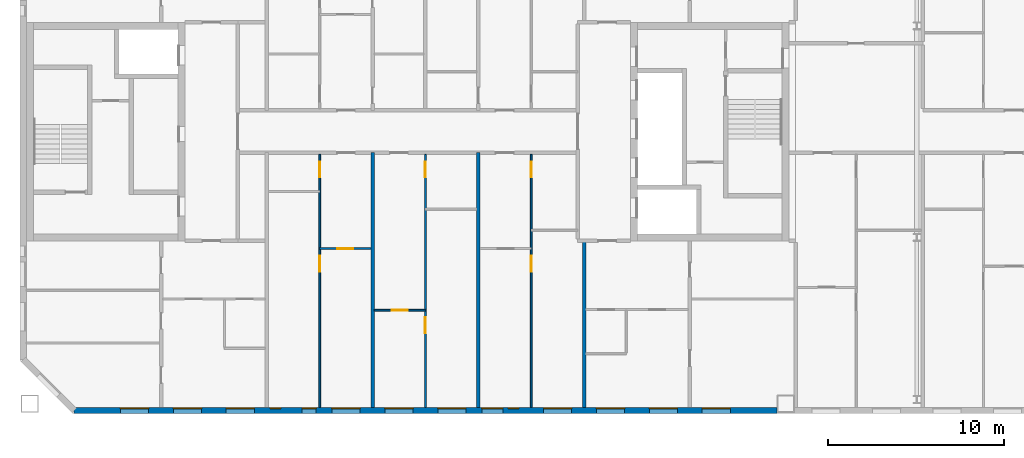
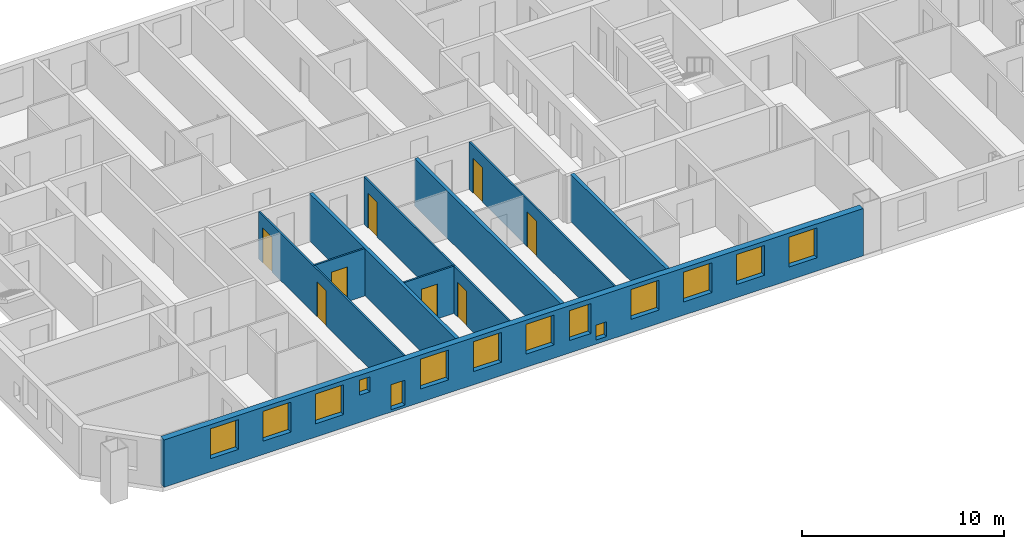
# One storey, part 5 of 19: 14 windows, 9 walls, 8 doors, 22 openings.
"""IFC4 building model written with IfcOpenShell, lengths in metres."""

from ifc_helpers import new_model, si_unit, direction, frame, frame_2d, origin, place, context, subcontext, project, spatial, rectangle, extrude, material, layer, layer_set, type_object, element, fill, save


model = new_model("IFC4")

# Units and contexts
model_context = context("Model", 3, precision=1e-05, world=origin(), true_north=direction((0.0, 1.0)))
body_context = subcontext(model_context, "Body", "Model", "MODEL_VIEW")
ifc_project = project(units=[si_unit("LENGTHUNIT", "METRE"), si_unit("AREAUNIT", "SQUARE_METRE"), si_unit("VOLUMEUNIT", "CUBIC_METRE"), si_unit("PLANEANGLEUNIT", "RADIAN"), si_unit("MASSUNIT", "GRAM", prefix="KILO")], contexts=[model_context])

# Site, building, storey
site_placement = place(None, origin())
site = spatial("IfcSite", under=ifc_project, at=site_placement, CompositionType="ELEMENT")
building_placement = place(site_placement, origin())
building = spatial("IfcBuilding", under=site, at=building_placement, Name="Tuart Gate Housing", CompositionType="ELEMENT")
storey_placement = place(building_placement, frame((0.0, 0.0, 224.5)))
storey = spatial("IfcBuildingStorey", under=building, at=storey_placement, Name="L63", CompositionType="ELEMENT", Elevation=224.5)

# Wall, openings, windows
ifc_material_1 = material(Name="Brick", Category="masonry")
ifc_layer_1 = layer(ifc_material_1, 0.360107421875)
ifc_layer_set_1 = layer_set([ifc_layer_1], Name="Brick pier and spandrel wall 360")
wall_type_1 = type_object("IfcWallType", Name="Brick pier and spandrel wall 360", PredefinedType="STANDARD", material=ifc_layer_set_1)
wall_1_placement = place(storey_placement, frame((35.07470703125, 54.179931640625, 0.0), z_axis=(0.0, 0.0, 1.0), x_axis=(1.0, 0.0, 0.0)))
wall_1 = element("IfcWall", 1, at=wall_1_placement, inside=storey, type_object=wall_type_1, Name="External wall BLK-S L63", PredefinedType="STANDARD", context=body_context, shape_type="SweptSolid", body=[
    extrude(rectangle(XDim=39.875244140625, YDim=0.360107421875, at=frame_2d((19.9375, 0.0))), origin(), (0.0, 0.0, 1.0), 2.85009765625),
])
opening_1_placement = place(wall_1_placement, frame((2.62548828125, 0.0, 0.800048828125)))
opening_1 = element("IfcOpeningElement", 2, at=opening_1_placement, cuts=wall_1, Name="Opening W1", PredefinedType="OPENING", context=body_context, shape_type="SweptSolid", body=[
    extrude(rectangle(XDim=1.60009765625, YDim=1.800048828125, at=frame_2d((0.800048828125, 0.89990234375))), frame((0.0, 0.18994140625, 0.0), z_axis=(0.0, -1.0, 0.0), x_axis=(1.0, 0.0, 0.0)), (0.0, 0.0, 1.0), 0.380126953125),
])
opening_2_placement = place(wall_1_placement, frame((5.62548828125, 0.0, 0.800048828125)))
opening_2 = element("IfcOpeningElement", 3, at=opening_2_placement, cuts=wall_1, Name="Opening W1", PredefinedType="OPENING", context=body_context, shape_type="SweptSolid", body=[
    extrude(rectangle(XDim=1.60009765625, YDim=1.800048828125, at=frame_2d((0.800048828125, 0.89990234375))), frame((0.0, 0.18994140625, 0.0), z_axis=(0.0, -1.0, 0.0), x_axis=(1.0, 0.0, 0.0)), (0.0, 0.0, 1.0), 0.380126953125),
])
opening_3_placement = place(wall_1_placement, frame((8.62548828125, 0.0, 0.800048828125)))
opening_3 = element("IfcOpeningElement", 4, at=opening_3_placement, cuts=wall_1, Name="Opening W1", PredefinedType="OPENING", context=body_context, shape_type="SweptSolid", body=[
    extrude(rectangle(XDim=1.60009765625, YDim=1.800048828125, at=frame_2d((0.800048828125, 0.89990234375))), frame((0.0, 0.18994140625, 0.0), z_axis=(0.0, -1.0, 0.0), x_axis=(1.0, 0.0, 0.0)), (0.0, 0.0, 1.0), 0.380126953125),
])
opening_4_placement = place(wall_1_placement, frame((11.12548828125, 0.0, 1.64990234375)))
opening_4 = element("IfcOpeningElement", 5, at=opening_4_placement, cuts=wall_1, Name="Opening W1W", PredefinedType="OPENING", context=body_context, shape_type="SweptSolid", body=[
    extrude(rectangle(XDim=0.60009765625, YDim=0.89990234375, at=frame_2d((0.300048828125, 0.449951171875))), frame((0.0, 0.18994140625, 0.0), z_axis=(0.0, -1.0, 0.0), x_axis=(1.0, 0.0, 0.0)), (0.0, 0.0, 1.0), 0.380126953125),
])
opening_5_placement = place(wall_1_placement, frame((14.62548828125, 0.0, 0.800048828125)))
opening_5 = element("IfcOpeningElement", 6, at=opening_5_placement, cuts=wall_1, Name="Opening W1", PredefinedType="OPENING", context=body_context, shape_type="SweptSolid", body=[
    extrude(rectangle(XDim=1.60009765625, YDim=1.800048828125, at=frame_2d((0.800048828125, 0.89990234375))), frame((0.0, 0.18994140625, 0.0), z_axis=(0.0, -1.0, 0.0), x_axis=(1.0, 0.0, 0.0)), (0.0, 0.0, 1.0), 0.380126953125),
])
opening_6_placement = place(wall_1_placement, frame((17.62548828125, 0.0, 0.800048828125)))
opening_6 = element("IfcOpeningElement", 7, at=opening_6_placement, cuts=wall_1, Name="Opening W1", PredefinedType="OPENING", context=body_context, shape_type="SweptSolid", body=[
    extrude(rectangle(XDim=1.60009765625, YDim=1.800048828125, at=frame_2d((0.800048828125, 0.89990234375))), frame((0.0, 0.18994140625, 0.0), z_axis=(0.0, -1.0, 0.0), x_axis=(1.0, 0.0, 0.0)), (0.0, 0.0, 1.0), 0.380126953125),
])
opening_7_placement = place(wall_1_placement, frame((20.62548828125, 0.0, 0.800048828125)))
opening_7 = element("IfcOpeningElement", 8, at=opening_7_placement, cuts=wall_1, Name="Opening W1", PredefinedType="OPENING", context=body_context, shape_type="SweptSolid", body=[
    extrude(rectangle(XDim=1.60009765625, YDim=1.800048828125, at=frame_2d((0.800048828125, 0.89990234375))), frame((0.0, 0.18994140625, 0.0), z_axis=(0.0, -1.0, 0.0), x_axis=(1.0, 0.0, 0.0)), (0.0, 0.0, 1.0), 0.380126953125),
])
opening_8_placement = place(wall_1_placement, frame((23.12548828125, 0.0, 0.75)))
opening_8 = element("IfcOpeningElement", 9, at=opening_8_placement, cuts=wall_1, Name="Opening W1B", PredefinedType="OPENING", context=body_context, shape_type="SweptSolid", body=[
    extrude(rectangle(XDim=1.199951171875, YDim=1.800048828125, at=frame_2d((0.60009765625, 0.89990234375))), frame((0.0, 0.18994140625, 0.0), z_axis=(0.0, -1.0, 0.0), x_axis=(1.0, 0.0, 0.0)), (0.0, 0.0, 1.0), 0.380126953125),
])
opening_9_placement = place(wall_1_placement, frame((26.62548828125, 0.0, 0.800048828125)))
opening_9 = element("IfcOpeningElement", 10, at=opening_9_placement, cuts=wall_1, Name="Opening W1", PredefinedType="OPENING", context=body_context, shape_type="SweptSolid", body=[
    extrude(rectangle(XDim=1.60009765625, YDim=1.800048828125, at=frame_2d((0.800048828125, 0.89990234375))), frame((0.0, 0.18994140625, 0.0), z_axis=(0.0, -1.0, 0.0), x_axis=(1.0, 0.0, 0.0)), (0.0, 0.0, 1.0), 0.380126953125),
])
opening_10_placement = place(wall_1_placement, frame((29.62548828125, 0.0, 0.800048828125)))
opening_10 = element("IfcOpeningElement", 11, at=opening_10_placement, cuts=wall_1, Name="Opening W1", PredefinedType="OPENING", context=body_context, shape_type="SweptSolid", body=[
    extrude(rectangle(XDim=1.60009765625, YDim=1.800048828125, at=frame_2d((0.800048828125, 0.89990234375))), frame((0.0, 0.18994140625, 0.0), z_axis=(0.0, -1.0, 0.0), x_axis=(1.0, 0.0, 0.0)), (0.0, 0.0, 1.0), 0.380126953125),
])
opening_11_placement = place(wall_1_placement, frame((32.62548828125, 0.0, 0.800048828125)))
opening_11 = element("IfcOpeningElement", 12, at=opening_11_placement, cuts=wall_1, Name="Opening W1", PredefinedType="OPENING", context=body_context, shape_type="SweptSolid", body=[
    extrude(rectangle(XDim=1.60009765625, YDim=1.800048828125, at=frame_2d((0.800048828125, 0.89990234375))), frame((0.0, 0.18994140625, 0.0), z_axis=(0.0, -1.0, 0.0), x_axis=(1.0, 0.0, 0.0)), (0.0, 0.0, 1.0), 0.380126953125),
])
opening_12_placement = place(wall_1_placement, frame((35.62548828125, 0.0, 0.800048828125)))
opening_12 = element("IfcOpeningElement", 13, at=opening_12_placement, cuts=wall_1, Name="Opening W1", PredefinedType="OPENING", context=body_context, shape_type="SweptSolid", body=[
    extrude(rectangle(XDim=1.60009765625, YDim=1.800048828125, at=frame_2d((0.800048828125, 0.89990234375))), frame((0.0, 0.18994140625, 0.0), z_axis=(0.0, -1.0, 0.0), x_axis=(1.0, 0.0, 0.0)), (0.0, 0.0, 1.0), 0.380126953125),
])
opening_13_placement = place(wall_1_placement, frame((12.92529296875, 0.0, 0.14990234375)))
opening_13 = element("IfcOpeningElement", 14, at=opening_13_placement, cuts=wall_1, Name="Opening W1J", PredefinedType="OPENING", context=body_context, shape_type="SweptSolid", body=[
    extrude(rectangle(XDim=0.800048828125, YDim=1.5, at=frame_2d((0.39990234375, 0.75))), frame((0.0, 0.18994140625, 0.0), z_axis=(0.0, -1.0, 0.0), x_axis=(1.0, 0.0, 0.0)), (0.0, 0.0, 1.0), 0.380126953125),
])
opening_14_placement = place(wall_1_placement, frame((24.62548828125, 0.0, 0.25)))
opening_14 = element("IfcOpeningElement", 15, at=opening_14_placement, cuts=wall_1, Name="Opening W1W", PredefinedType="OPENING", context=body_context, shape_type="SweptSolid", body=[
    extrude(rectangle(XDim=0.60009765625, YDim=0.89990234375, at=frame_2d((0.300048828125, 0.449951171875))), frame((0.0, 0.18994140625, 0.0), z_axis=(0.0, -1.0, 0.0), x_axis=(1.0, 0.0, 0.0)), (0.0, 0.0, 1.0), 0.380126953125),
])
ifc_material_2 = material(Name="Aluminium frame with clear glass", Category="aluminium")
window_type_1 = type_object("IfcWindowType", Name="Punched window 1200 x 1800", PartitioningType="SINGLE_PANEL", PredefinedType="WINDOW", material=ifc_material_2)
window_1_placement = place(opening_8_placement, origin())
window_1 = element("IfcWindow", 16, at=window_1_placement, inside=storey, type_object=window_type_1, Name="Window W1B", OverallHeight=1.800048828125, OverallWidth=1.199951171875, PartitioningType="SINGLE_PANEL", PredefinedType="WINDOW", context=body_context, shape_type="SweptSolid", body=[
    extrude(rectangle(XDim=1.199951171875, YDim=1.800048828125, at=frame_2d((0.60009765625, 0.89990234375))), frame((0.0, 0.150146484375, 0.0), z_axis=(0.0, -1.0, 0.0), x_axis=(1.0, 0.0, 0.0)), (0.0, 0.0, 1.0), 0.06005859375),
])
fill(opening_8, window_1)
ifc_material_3 = material(Name="Aluminium frame with clear glass", Category="aluminium")
window_type_2 = type_object("IfcWindowType", Name="Punched window 1600 x 1800", PartitioningType="SINGLE_PANEL", PredefinedType="WINDOW", material=ifc_material_3)
window_2_placement = place(opening_1_placement, origin())
window_2 = element("IfcWindow", 17, at=window_2_placement, inside=storey, type_object=window_type_2, Name="Window W1", OverallHeight=1.800048828125, OverallWidth=1.60009765625, PartitioningType="SINGLE_PANEL", PredefinedType="WINDOW", context=body_context, shape_type="SweptSolid", body=[
    extrude(rectangle(XDim=1.60009765625, YDim=1.800048828125, at=frame_2d((0.800048828125, 0.89990234375))), frame((0.0, 0.150146484375, 0.0), z_axis=(0.0, -1.0, 0.0), x_axis=(1.0, 0.0, 0.0)), (0.0, 0.0, 1.0), 0.06005859375),
])
fill(opening_1, window_2)
window_3_placement = place(opening_2_placement, origin())
window_3 = element("IfcWindow", 18, at=window_3_placement, inside=storey, type_object=window_type_2, Name="Window W1", OverallHeight=1.800048828125, OverallWidth=1.60009765625, PartitioningType="SINGLE_PANEL", PredefinedType="WINDOW", context=body_context, shape_type="SweptSolid", body=[
    extrude(rectangle(XDim=1.60009765625, YDim=1.800048828125, at=frame_2d((0.800048828125, 0.89990234375))), frame((0.0, 0.150146484375, 0.0), z_axis=(0.0, -1.0, 0.0), x_axis=(1.0, 0.0, 0.0)), (0.0, 0.0, 1.0), 0.06005859375),
])
fill(opening_2, window_3)
window_4_placement = place(opening_3_placement, origin())
window_4 = element("IfcWindow", 19, at=window_4_placement, inside=storey, type_object=window_type_2, Name="Window W1", OverallHeight=1.800048828125, OverallWidth=1.60009765625, PartitioningType="SINGLE_PANEL", PredefinedType="WINDOW", context=body_context, shape_type="SweptSolid", body=[
    extrude(rectangle(XDim=1.60009765625, YDim=1.800048828125, at=frame_2d((0.800048828125, 0.89990234375))), frame((0.0, 0.150146484375, 0.0), z_axis=(0.0, -1.0, 0.0), x_axis=(1.0, 0.0, 0.0)), (0.0, 0.0, 1.0), 0.06005859375),
])
fill(opening_3, window_4)
window_5_placement = place(opening_5_placement, origin())
window_5 = element("IfcWindow", 20, at=window_5_placement, inside=storey, type_object=window_type_2, Name="Window W1", OverallHeight=1.800048828125, OverallWidth=1.60009765625, PartitioningType="SINGLE_PANEL", PredefinedType="WINDOW", context=body_context, shape_type="SweptSolid", body=[
    extrude(rectangle(XDim=1.60009765625, YDim=1.800048828125, at=frame_2d((0.800048828125, 0.89990234375))), frame((0.0, 0.150146484375, 0.0), z_axis=(0.0, -1.0, 0.0), x_axis=(1.0, 0.0, 0.0)), (0.0, 0.0, 1.0), 0.06005859375),
])
fill(opening_5, window_5)
window_6_placement = place(opening_6_placement, origin())
window_6 = element("IfcWindow", 21, at=window_6_placement, inside=storey, type_object=window_type_2, Name="Window W1", OverallHeight=1.800048828125, OverallWidth=1.60009765625, PartitioningType="SINGLE_PANEL", PredefinedType="WINDOW", context=body_context, shape_type="SweptSolid", body=[
    extrude(rectangle(XDim=1.60009765625, YDim=1.800048828125, at=frame_2d((0.800048828125, 0.89990234375))), frame((0.0, 0.150146484375, 0.0), z_axis=(0.0, -1.0, 0.0), x_axis=(1.0, 0.0, 0.0)), (0.0, 0.0, 1.0), 0.06005859375),
])
fill(opening_6, window_6)
window_7_placement = place(opening_7_placement, origin())
window_7 = element("IfcWindow", 22, at=window_7_placement, inside=storey, type_object=window_type_2, Name="Window W1", OverallHeight=1.800048828125, OverallWidth=1.60009765625, PartitioningType="SINGLE_PANEL", PredefinedType="WINDOW", context=body_context, shape_type="SweptSolid", body=[
    extrude(rectangle(XDim=1.60009765625, YDim=1.800048828125, at=frame_2d((0.800048828125, 0.89990234375))), frame((0.0, 0.150146484375, 0.0), z_axis=(0.0, -1.0, 0.0), x_axis=(1.0, 0.0, 0.0)), (0.0, 0.0, 1.0), 0.06005859375),
])
fill(opening_7, window_7)
window_8_placement = place(opening_9_placement, origin())
window_8 = element("IfcWindow", 23, at=window_8_placement, inside=storey, type_object=window_type_2, Name="Window W1", OverallHeight=1.800048828125, OverallWidth=1.60009765625, PartitioningType="SINGLE_PANEL", PredefinedType="WINDOW", context=body_context, shape_type="SweptSolid", body=[
    extrude(rectangle(XDim=1.60009765625, YDim=1.800048828125, at=frame_2d((0.800048828125, 0.89990234375))), frame((0.0, 0.150146484375, 0.0), z_axis=(0.0, -1.0, 0.0), x_axis=(1.0, 0.0, 0.0)), (0.0, 0.0, 1.0), 0.06005859375),
])
fill(opening_9, window_8)
window_9_placement = place(opening_10_placement, origin())
window_9 = element("IfcWindow", 24, at=window_9_placement, inside=storey, type_object=window_type_2, Name="Window W1", OverallHeight=1.800048828125, OverallWidth=1.60009765625, PartitioningType="SINGLE_PANEL", PredefinedType="WINDOW", context=body_context, shape_type="SweptSolid", body=[
    extrude(rectangle(XDim=1.60009765625, YDim=1.800048828125, at=frame_2d((0.800048828125, 0.89990234375))), frame((0.0, 0.150146484375, 0.0), z_axis=(0.0, -1.0, 0.0), x_axis=(1.0, 0.0, 0.0)), (0.0, 0.0, 1.0), 0.06005859375),
])
fill(opening_10, window_9)
window_10_placement = place(opening_11_placement, origin())
window_10 = element("IfcWindow", 25, at=window_10_placement, inside=storey, type_object=window_type_2, Name="Window W1", OverallHeight=1.800048828125, OverallWidth=1.60009765625, PartitioningType="SINGLE_PANEL", PredefinedType="WINDOW", context=body_context, shape_type="SweptSolid", body=[
    extrude(rectangle(XDim=1.60009765625, YDim=1.800048828125, at=frame_2d((0.800048828125, 0.89990234375))), frame((0.0, 0.150146484375, 0.0), z_axis=(0.0, -1.0, 0.0), x_axis=(1.0, 0.0, 0.0)), (0.0, 0.0, 1.0), 0.06005859375),
])
fill(opening_11, window_10)
window_11_placement = place(opening_12_placement, origin())
window_11 = element("IfcWindow", 26, at=window_11_placement, inside=storey, type_object=window_type_2, Name="Window W1", OverallHeight=1.800048828125, OverallWidth=1.60009765625, PartitioningType="SINGLE_PANEL", PredefinedType="WINDOW", context=body_context, shape_type="SweptSolid", body=[
    extrude(rectangle(XDim=1.60009765625, YDim=1.800048828125, at=frame_2d((0.800048828125, 0.89990234375))), frame((0.0, 0.150146484375, 0.0), z_axis=(0.0, -1.0, 0.0), x_axis=(1.0, 0.0, 0.0)), (0.0, 0.0, 1.0), 0.06005859375),
])
fill(opening_12, window_11)
ifc_material_4 = material(Name="Aluminium frame with clear glass", Category="aluminium")
window_type_3 = type_object("IfcWindowType", Name="Punched window 600 x 900", PartitioningType="SINGLE_PANEL", PredefinedType="WINDOW", material=ifc_material_4)
window_12_placement = place(opening_4_placement, origin())
window_12 = element("IfcWindow", 27, at=window_12_placement, inside=storey, type_object=window_type_3, Name="Window W1W", OverallHeight=0.89990234375, OverallWidth=0.60009765625, PartitioningType="SINGLE_PANEL", PredefinedType="WINDOW", context=body_context, shape_type="SweptSolid", body=[
    extrude(rectangle(XDim=0.60009765625, YDim=0.89990234375, at=frame_2d((0.300048828125, 0.449951171875))), frame((0.0, 0.150146484375, 0.0), z_axis=(0.0, -1.0, 0.0), x_axis=(1.0, 0.0, 0.0)), (0.0, 0.0, 1.0), 0.06005859375),
])
fill(opening_4, window_12)
window_13_placement = place(opening_14_placement, origin())
window_13 = element("IfcWindow", 28, at=window_13_placement, inside=storey, type_object=window_type_3, Name="Window W1W", OverallHeight=0.89990234375, OverallWidth=0.60009765625, PartitioningType="SINGLE_PANEL", PredefinedType="WINDOW", context=body_context, shape_type="SweptSolid", body=[
    extrude(rectangle(XDim=0.60009765625, YDim=0.89990234375, at=frame_2d((0.300048828125, 0.449951171875))), frame((0.0, 0.150146484375, 0.0), z_axis=(0.0, -1.0, 0.0), x_axis=(1.0, 0.0, 0.0)), (0.0, 0.0, 1.0), 0.06005859375),
])
fill(opening_14, window_13)
ifc_material_5 = material(Name="Aluminium frame with clear glass", Category="aluminium")
window_type_4 = type_object("IfcWindowType", Name="Punched window 800 x 1500", PartitioningType="SINGLE_PANEL", PredefinedType="WINDOW", material=ifc_material_5)
window_14_placement = place(opening_13_placement, origin())
window_14 = element("IfcWindow", 29, at=window_14_placement, inside=storey, type_object=window_type_4, Name="Window W1J", OverallHeight=1.5, OverallWidth=0.800048828125, PartitioningType="SINGLE_PANEL", PredefinedType="WINDOW", context=body_context, shape_type="SweptSolid", body=[
    extrude(rectangle(XDim=0.800048828125, YDim=1.5, at=frame_2d((0.39990234375, 0.75))), frame((0.0, 0.150146484375, 0.0), z_axis=(0.0, -1.0, 0.0), x_axis=(1.0, 0.0, 0.0)), (0.0, 0.0, 1.0), 0.06005859375),
])
fill(opening_13, window_14)

# Wall, opening, door
ifc_material_6 = material(Name="Gypsum board on steel studs", Category="steel")
ifc_layer_2 = layer(ifc_material_6, 0.10009765625)
ifc_layer_set_2 = layer_set([ifc_layer_2], Name="Partition 100")
wall_type_2 = type_object("IfcWallType", Name="Partition 100", PredefinedType="PARTITIONING", material=ifc_layer_set_2)
wall_2_placement = place(storey_placement, frame((52.10009765625, 59.860107421875, 0.0), z_axis=(0.0, 0.0, 1.0), x_axis=(1.0, 0.0, 0.0)))
wall_2 = element("IfcWall", 30, at=wall_2_placement, inside=storey, type_object=wall_type_2, Name="Partition 100", PredefinedType="PARTITIONING", context=body_context, shape_type="SweptSolid", body=[
    extrude(rectangle(XDim=2.89990234375, YDim=0.10009765625, at=frame_2d((1.449951171875, 0.0))), origin(), (0.0, 0.0, 1.0), 2.85009765625),
])
opening_15_placement = place(wall_2_placement, frame((1.0, 0.0, 0.0)))
opening_15 = element("IfcOpeningElement", 31, at=opening_15_placement, cuts=wall_2, Name="Opening D2327", PredefinedType="OPENING", context=body_context, shape_type="SweptSolid", body=[
    extrude(rectangle(XDim=0.89990234375, YDim=2.10009765625, at=frame_2d((0.449951171875, 1.050048828125))), frame((0.0, 0.06005859375, 0.0), z_axis=(0.0, -1.0, 0.0), x_axis=(1.0, 0.0, 0.0)), (0.0, 0.0, 1.0), 0.1201171875),
])
ifc_material_7 = material(Name="Timber door leaf in steel frame", Category="steel")
door_type_1 = type_object("IfcDoorType", Name="Internal door 900 RH", OperationType="SINGLE_SWING_RIGHT", PredefinedType="DOOR", material=ifc_material_7)
door_1_placement = place(opening_15_placement, origin())
door_1 = element("IfcDoor", 32, at=door_1_placement, inside=storey, type_object=door_type_1, Name="Internal door", OperationType="SINGLE_SWING_RIGHT", OverallHeight=2.10009765625, OverallWidth=0.89990234375, PredefinedType="DOOR", context=body_context, shape_type="SweptSolid", body=[
    extrude(rectangle(XDim=0.89990234375, YDim=2.10009765625, at=frame_2d((0.449951171875, 1.050048828125))), frame((0.0, 0.02490234375, 0.0), z_axis=(0.0, -1.0, 0.0), x_axis=(1.0, 0.0, 0.0)), (0.0, 0.0, 1.0), 0.050048828125),
])
fill(opening_15, door_1)

wall_3_placement = place(storey_placement, frame((49.0, 63.360107421875, 0.0), z_axis=(0.0, 0.0, 1.0), x_axis=(1.0, 0.0, 0.0)))
wall_3 = element("IfcWall", 33, at=wall_3_placement, inside=storey, type_object=wall_type_2, Name="Partition 100", PredefinedType="PARTITIONING", context=body_context, shape_type="SweptSolid", body=[
    extrude(rectangle(XDim=2.89990234375, YDim=0.10009765625, at=frame_2d((1.449951171875, 0.0))), origin(), (0.0, 0.0, 1.0), 2.85009765625),
])
opening_16_placement = place(wall_3_placement, frame((1.0, 0.0, 0.0)))
opening_16 = element("IfcOpeningElement", 34, at=opening_16_placement, cuts=wall_3, Name="Opening D2315", PredefinedType="OPENING", context=body_context, shape_type="SweptSolid", body=[
    extrude(rectangle(XDim=0.89990234375, YDim=2.10009765625, at=frame_2d((0.449951171875, 1.050048828125))), frame((0.0, 0.06005859375, 0.0), z_axis=(0.0, -1.0, 0.0), x_axis=(1.0, 0.0, 0.0)), (0.0, 0.0, 1.0), 0.1201171875),
])
ifc_material_8 = material(Name="Timber door leaf in steel frame", Category="steel")
door_type_2 = type_object("IfcDoorType", Name="Internal door 900", OperationType="SINGLE_SWING_LEFT", PredefinedType="DOOR", material=ifc_material_8)
door_2_placement = place(opening_16_placement, origin())
door_2 = element("IfcDoor", 35, at=door_2_placement, inside=storey, type_object=door_type_2, Name="Internal door", OperationType="SINGLE_SWING_LEFT", OverallHeight=2.10009765625, OverallWidth=0.89990234375, PredefinedType="DOOR", context=body_context, shape_type="SweptSolid", body=[
    extrude(rectangle(XDim=0.89990234375, YDim=2.10009765625, at=frame_2d((0.449951171875, 1.050048828125))), frame((0.0, 0.02490234375, 0.0), z_axis=(0.0, -1.0, 0.0), x_axis=(1.0, 0.0, 0.0)), (0.0, 0.0, 1.0), 0.050048828125),
])
fill(opening_16, door_2)

# Wall, openings, doors
wall_4_placement = place(storey_placement, frame((49.0, 54.360107421875, 0.0), z_axis=(0.0, 0.0, 1.0), x_axis=(0.0, 1.0, 0.0)))
wall_4 = element("IfcWall", 36, at=wall_4_placement, inside=storey, type_object=wall_type_2, Name="Partition 100", PredefinedType="PARTITIONING", context=body_context, shape_type="SweptSolid", body=[
    extrude(rectangle(XDim=14.33984375, YDim=0.10009765625, at=frame_2d((7.169921875, 0.0))), origin(), (0.0, 0.0, 1.0), 2.85009765625),
])
opening_17_placement = place(wall_4_placement, frame((7.699951171875, 0.0, 0.0)))
opening_17 = element("IfcOpeningElement", 37, at=opening_17_placement, cuts=wall_4, Name="Opening D2318", PredefinedType="OPENING", context=body_context, shape_type="SweptSolid", body=[
    extrude(rectangle(XDim=0.89990234375, YDim=2.10009765625, at=frame_2d((0.449951171875, 1.050048828125))), frame((0.0, 0.06005859375, 0.0), z_axis=(0.0, -1.0, 0.0), x_axis=(1.0, 0.0, 0.0)), (0.0, 0.0, 1.0), 0.1201171875),
])
opening_18_placement = place(wall_4_placement, frame((13.0400390625, 0.0, 0.0)))
opening_18 = element("IfcOpeningElement", 38, at=opening_18_placement, cuts=wall_4, Name="Opening D2317", PredefinedType="OPENING", context=body_context, shape_type="SweptSolid", body=[
    extrude(rectangle(XDim=0.89990234375, YDim=2.10009765625, at=frame_2d((0.449951171875, 1.050048828125))), frame((0.0, 0.06005859375, 0.0), z_axis=(0.0, -1.0, 0.0), x_axis=(1.0, 0.0, 0.0)), (0.0, 0.0, 1.0), 0.1201171875),
])
ifc_material_9 = material(Name="Timber door leaf in steel frame", Category="steel")
door_type_3 = type_object("IfcDoorType", Name="Bathroom door 900 RH", OperationType="SINGLE_SWING_RIGHT", PredefinedType="DOOR", material=ifc_material_9)
door_3_placement = place(opening_18_placement, origin())
door_3 = element("IfcDoor", 39, at=door_3_placement, inside=storey, type_object=door_type_3, Name="Bathroom door", OperationType="SINGLE_SWING_RIGHT", OverallHeight=2.10009765625, OverallWidth=0.89990234375, PredefinedType="DOOR", context=body_context, shape_type="SweptSolid", body=[
    extrude(rectangle(XDim=0.89990234375, YDim=2.10009765625, at=frame_2d((0.449951171875, 1.050048828125))), frame((0.0, 0.02490234375, 0.0), z_axis=(0.0, -1.0, 0.0), x_axis=(1.0, 0.0, 0.0)), (0.0, 0.0, 1.0), 0.050048828125),
])
fill(opening_18, door_3)
door_4_placement = place(opening_17_placement, origin())
door_4 = element("IfcDoor", 40, at=door_4_placement, inside=storey, type_object=door_type_1, Name="Internal door", OperationType="SINGLE_SWING_RIGHT", OverallHeight=2.10009765625, OverallWidth=0.89990234375, PredefinedType="DOOR", context=body_context, shape_type="SweptSolid", body=[
    extrude(rectangle(XDim=0.89990234375, YDim=2.10009765625, at=frame_2d((0.449951171875, 1.050048828125))), frame((0.0, 0.02490234375, 0.0), z_axis=(0.0, -1.0, 0.0), x_axis=(1.0, 0.0, 0.0)), (0.0, 0.0, 1.0), 0.050048828125),
])
fill(opening_17, door_4)

wall_5_placement = place(storey_placement, frame((55.0, 54.360107421875, 0.0), z_axis=(0.0, 0.0, 1.0), x_axis=(0.0, 1.0, 0.0)))
wall_5 = element("IfcWall", 41, at=wall_5_placement, inside=storey, type_object=wall_type_2, Name="Partition 100", PredefinedType="PARTITIONING", context=body_context, shape_type="SweptSolid", body=[
    extrude(rectangle(XDim=14.33984375, YDim=0.10009765625, at=frame_2d((7.169921875, 0.0))), origin(), (0.0, 0.0, 1.0), 2.85009765625),
])
opening_19_placement = place(wall_5_placement, frame((4.199951171875, 0.0, 0.0)))
opening_19 = element("IfcOpeningElement", 42, at=opening_19_placement, cuts=wall_5, Name="Opening D2320", PredefinedType="OPENING", context=body_context, shape_type="SweptSolid", body=[
    extrude(rectangle(XDim=0.89990234375, YDim=2.10009765625, at=frame_2d((0.449951171875, 1.050048828125))), frame((0.0, 0.06005859375, 0.0), z_axis=(0.0, -1.0, 0.0), x_axis=(1.0, 0.0, 0.0)), (0.0, 0.0, 1.0), 0.1201171875),
])
opening_20_placement = place(wall_5_placement, frame((13.0400390625, 0.0, 0.0)))
opening_20 = element("IfcOpeningElement", 43, at=opening_20_placement, cuts=wall_5, Name="Opening D2319", PredefinedType="OPENING", context=body_context, shape_type="SweptSolid", body=[
    extrude(rectangle(XDim=0.89990234375, YDim=2.10009765625, at=frame_2d((0.449951171875, 1.050048828125))), frame((0.0, 0.06005859375, 0.0), z_axis=(0.0, -1.0, 0.0), x_axis=(1.0, 0.0, 0.0)), (0.0, 0.0, 1.0), 0.1201171875),
])
ifc_material_10 = material(Name="Timber door leaf in steel frame", Category="steel")
door_type_4 = type_object("IfcDoorType", Name="Bathroom door 900", OperationType="SINGLE_SWING_LEFT", PredefinedType="DOOR", material=ifc_material_10)
door_5_placement = place(opening_20_placement, frame((0.89990234375, 0.0, 0.0), z_axis=(0.0, 0.0, 1.0), x_axis=(-1.0, 0.0, 0.0)))
door_5 = element("IfcDoor", 44, at=door_5_placement, inside=storey, type_object=door_type_4, Name="Bathroom door", OperationType="SINGLE_SWING_LEFT", OverallHeight=2.10009765625, OverallWidth=0.89990234375, PredefinedType="DOOR", context=body_context, shape_type="SweptSolid", body=[
    extrude(rectangle(XDim=0.89990234375, YDim=2.10009765625, at=frame_2d((0.449951171875, 1.050048828125))), frame((0.0, 0.025146484375, 0.0), z_axis=(0.0, -1.0, 0.0), x_axis=(1.0, 0.0, 0.0)), (0.0, 0.0, 1.0), 0.050048828125),
])
fill(opening_20, door_5)
door_6_placement = place(opening_19_placement, frame((0.89990234375, 0.0, 0.0), z_axis=(0.0, 0.0, 1.0), x_axis=(-1.0, 0.0, 0.0)))
door_6 = element("IfcDoor", 45, at=door_6_placement, inside=storey, type_object=door_type_1, Name="Internal door", OperationType="SINGLE_SWING_RIGHT", OverallHeight=2.10009765625, OverallWidth=0.89990234375, PredefinedType="DOOR", context=body_context, shape_type="SweptSolid", body=[
    extrude(rectangle(XDim=0.89990234375, YDim=2.10009765625, at=frame_2d((0.449951171875, 1.050048828125))), frame((0.0, 0.025146484375, 0.0), z_axis=(0.0, -1.0, 0.0), x_axis=(1.0, 0.0, 0.0)), (0.0, 0.0, 1.0), 0.050048828125),
])
fill(opening_19, door_6)

wall_6_placement = place(storey_placement, frame((61.0, 54.360107421875, 0.0), z_axis=(0.0, 0.0, 1.0), x_axis=(0.0, 1.0, 0.0)))
wall_6 = element("IfcWall", 46, at=wall_6_placement, inside=storey, type_object=wall_type_2, Name="Partition 100", PredefinedType="PARTITIONING", context=body_context, shape_type="SweptSolid", body=[
    extrude(rectangle(XDim=14.33984375, YDim=0.10009765625, at=frame_2d((7.169921875, 0.0))), origin(), (0.0, 0.0, 1.0), 2.85009765625),
])
opening_21_placement = place(wall_6_placement, frame((7.699951171875, 0.0, 0.0)))
opening_21 = element("IfcOpeningElement", 47, at=opening_21_placement, cuts=wall_6, Name="Opening D2322", PredefinedType="OPENING", context=body_context, shape_type="SweptSolid", body=[
    extrude(rectangle(XDim=0.89990234375, YDim=2.10009765625, at=frame_2d((0.449951171875, 1.050048828125))), frame((0.0, 0.06005859375, 0.0), z_axis=(0.0, -1.0, 0.0), x_axis=(1.0, 0.0, 0.0)), (0.0, 0.0, 1.0), 0.1201171875),
])
opening_22_placement = place(wall_6_placement, frame((13.0400390625, 0.0, 0.0)))
opening_22 = element("IfcOpeningElement", 48, at=opening_22_placement, cuts=wall_6, Name="Opening D2321", PredefinedType="OPENING", context=body_context, shape_type="SweptSolid", body=[
    extrude(rectangle(XDim=0.89990234375, YDim=2.10009765625, at=frame_2d((0.449951171875, 1.050048828125))), frame((0.0, 0.06005859375, 0.0), z_axis=(0.0, -1.0, 0.0), x_axis=(1.0, 0.0, 0.0)), (0.0, 0.0, 1.0), 0.1201171875),
])
door_7_placement = place(opening_22_placement, frame((0.89990234375, 0.0, 0.0), z_axis=(0.0, 0.0, 1.0), x_axis=(-1.0, 0.0, 0.0)))
door_7 = element("IfcDoor", 49, at=door_7_placement, inside=storey, type_object=door_type_4, Name="Bathroom door", OperationType="SINGLE_SWING_LEFT", OverallHeight=2.10009765625, OverallWidth=0.89990234375, PredefinedType="DOOR", context=body_context, shape_type="SweptSolid", body=[
    extrude(rectangle(XDim=0.89990234375, YDim=2.10009765625, at=frame_2d((0.449951171875, 1.050048828125))), frame((0.0, 0.025146484375, 0.0), z_axis=(0.0, -1.0, 0.0), x_axis=(1.0, 0.0, 0.0)), (0.0, 0.0, 1.0), 0.050048828125),
])
fill(opening_22, door_7)
door_8_placement = place(opening_21_placement, frame((0.89990234375, 0.0, 0.0), z_axis=(0.0, 0.0, 1.0), x_axis=(-1.0, 0.0, 0.0)))
door_8 = element("IfcDoor", 50, at=door_8_placement, inside=storey, type_object=door_type_2, Name="Internal door", OperationType="SINGLE_SWING_LEFT", OverallHeight=2.10009765625, OverallWidth=0.89990234375, PredefinedType="DOOR", context=body_context, shape_type="SweptSolid", body=[
    extrude(rectangle(XDim=0.89990234375, YDim=2.10009765625, at=frame_2d((0.449951171875, 1.050048828125))), frame((0.0, 0.025146484375, 0.0), z_axis=(0.0, -1.0, 0.0), x_axis=(1.0, 0.0, 0.0)), (0.0, 0.0, 1.0), 0.050048828125),
])
fill(opening_21, door_8)

# Walls
ifc_material_11 = material(Name="Concrete C40", Category="concrete")
ifc_layer_3 = layer(ifc_material_11, 0.199951171875)
ifc_layer_set_3 = layer_set([ifc_layer_3], Name="Party wall concrete C40 200")
wall_type_3 = type_object("IfcWallType", Name="Party wall concrete C40 200", PredefinedType="SOLIDWALL", material=ifc_layer_set_3)
for number, where, z_axis, x_axis, name in (
    (51, (52.0, 54.360107421875, 0.0), (0.0, 0.0, 1.0), (0.0, 1.0, 0.0), "Party wall concrete C40 200"),
    (52, (58.0, 54.360107421875, 0.0), (0.0, 0.0, 1.0), (0.0, 1.0, 0.0), "Party wall concrete C40 200"),
):
    element("IfcWall", number, at=place(storey_placement, frame(where, z_axis=z_axis, x_axis=x_axis)), inside=storey, type_object=wall_type_3, Name=name, PredefinedType="SOLIDWALL", context=body_context, shape_type="SweptSolid", body=[
        extrude(rectangle(XDim=14.43994140625, YDim=0.199951171875, at=frame_2d((7.219970703125, 0.0))), origin(), (0.0, 0.0, 1.0), 2.85009765625),
    ])
wall_7_placement = place(storey_placement, frame((64.0, 54.360107421875, 0.0), z_axis=(0.0, 0.0, 1.0), x_axis=(0.0, 1.0, 0.0)))
element("IfcWall", 53, at=wall_7_placement, inside=storey, type_object=wall_type_3, Name="Party wall concrete C40 200", PredefinedType="SOLIDWALL", context=body_context, shape_type="SweptSolid", body=[
    extrude(rectangle(XDim=9.43994140625, YDim=0.199951171875, at=frame_2d((4.719970703125, 0.0))), origin(), (0.0, 0.0, 1.0), 2.85009765625),
])

save(model, "model.ifc")
